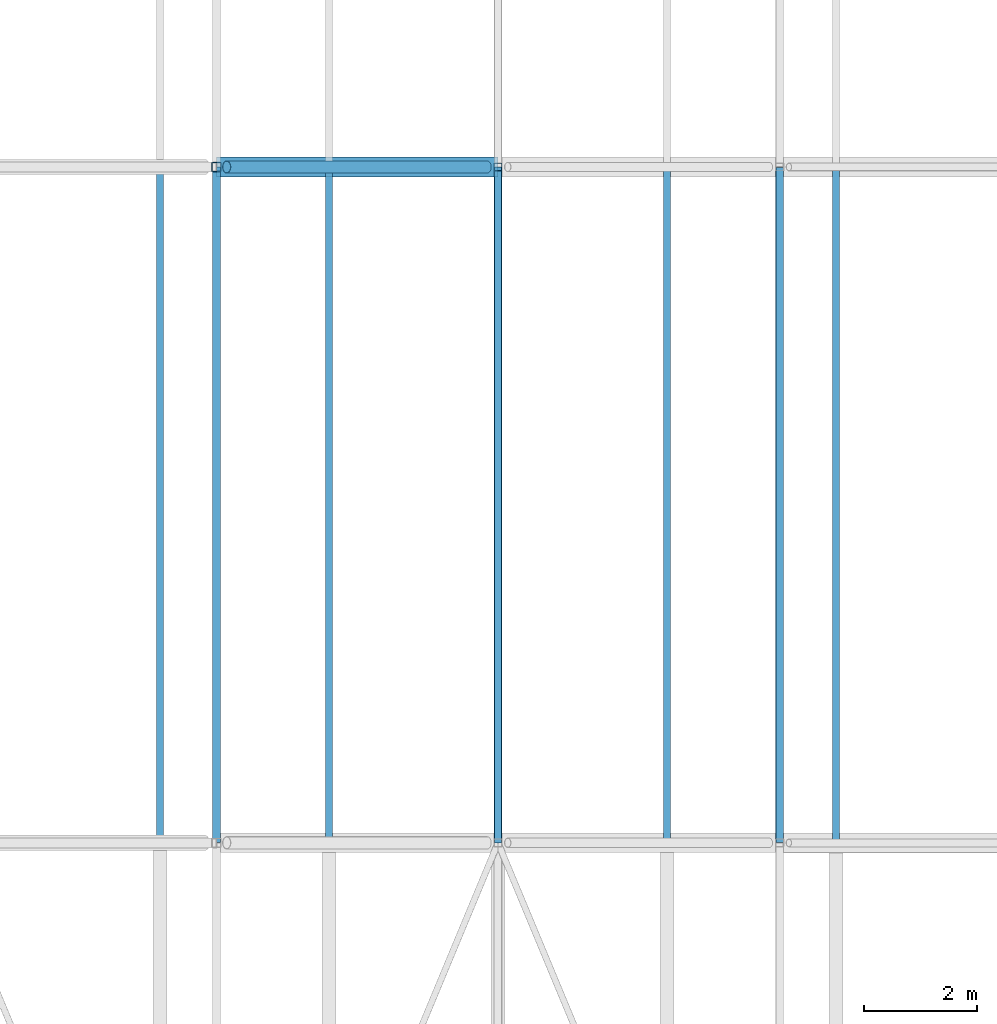
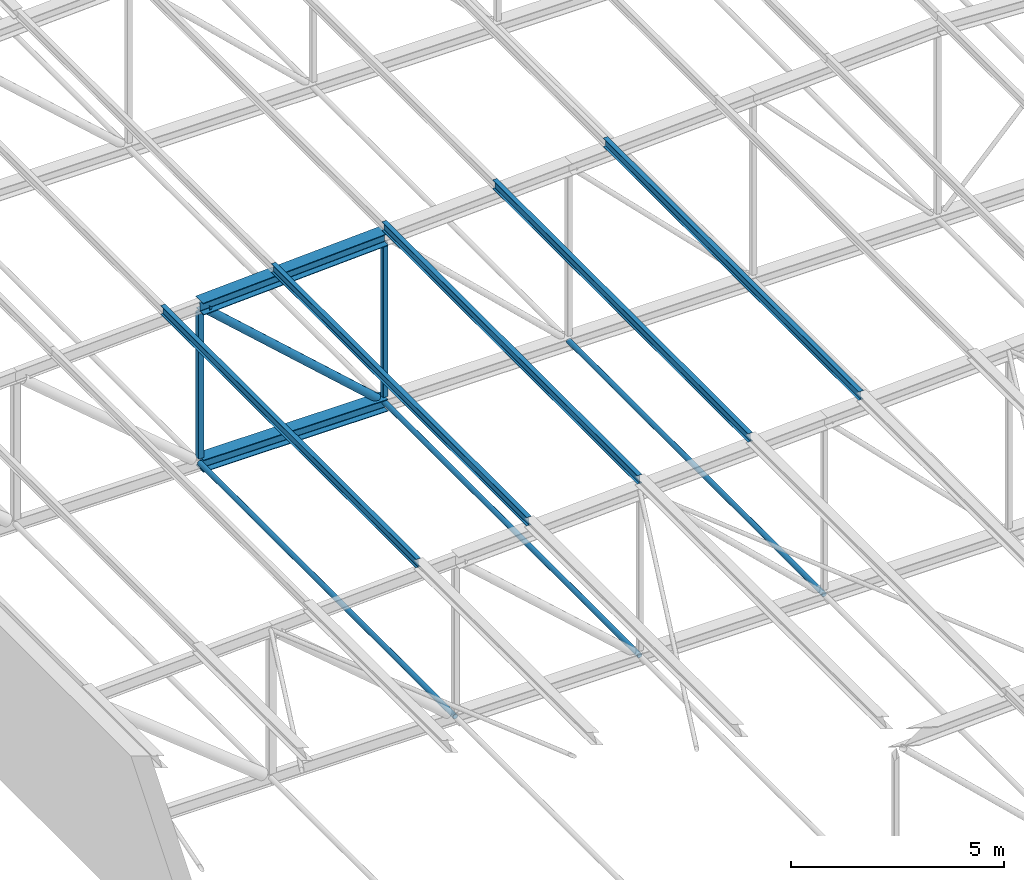
# One storey, part 106 of 156: 13 members.
"""IFC4 building model written with IfcOpenShell, lengths in metres."""

from ifc_helpers import new_model, si_unit, direction, frame, origin, origin_2d, place, context, subcontext, project, spatial, hollow_rectangle, hollow_circle, i_section, extrude, material, material_profile, profile_set, type_object, element, save


model = new_model("IFC4")

# Units and contexts
model_context = context("Model", 3, precision=1e-05, world=origin(), true_north=direction((0.0, 1.0)))
body_context = subcontext(model_context, "Body", "Model", "MODEL_VIEW")
ifc_project = project(units=[si_unit("LENGTHUNIT", "METRE"), si_unit("AREAUNIT", "SQUARE_METRE"), si_unit("VOLUMEUNIT", "CUBIC_METRE"), si_unit("PLANEANGLEUNIT", "RADIAN"), si_unit("MASSUNIT", "GRAM", prefix="KILO")], contexts=[model_context])

# Site, building, storey
site_placement = place(None, origin())
site = spatial("IfcSite", under=ifc_project, at=site_placement, CompositionType="ELEMENT")
building_placement = place(site_placement, origin())
building = spatial("IfcBuilding", under=site, at=building_placement, Name="Lilac Gate Convention Centre", CompositionType="ELEMENT")
storey_placement = place(building_placement, frame((0.0, 0.0, 17.0)))
storey = spatial("IfcBuildingStorey", under=building, at=storey_placement, Name="L03", CompositionType="ELEMENT", Elevation=17.0)

# Members
ifc_material = material(Name="Steel Q355B", Category="steel")
ifc_material_profile_1 = material_profile(ifc_material, hollow_circle(Radius=0.06982421875, WallThickness=0.0048828125, at=origin_2d()), Name="CHS139.7x5")
ifc_profile_set_1 = profile_set([ifc_material_profile_1], Name="Steel Q355B")
member_type_1 = type_object("IfcMemberType", Name="Bottom chord tie CHS139.7x5", PredefinedType="STRUT", material=ifc_profile_set_1)
member_1_placement = place(storey_placement, frame((40.0, 186.00341796875, 0.0), z_axis=(0.0, 1.0, 0.0), x_axis=(-1.0, 0.0, 0.0)))
element("IfcMember", 1, at=member_1_placement, inside=storey, type_object=member_type_1, Name="ST1 tie bay 14 node 3", PredefinedType="STRUT", context=body_context, shape_type="SweptSolid", body=[
    extrude(hollow_circle(Radius=0.06982421875, WallThickness=0.0048828125, at=origin_2d()), origin(), (0.0, 0.0, 1.0), 11.9931640625),
])
for number, where, z_axis, x_axis, name in (
    (2, (45.0, 186.006103515625, 0.0), (0.0, 1.0, 0.0), (-1.0, 0.0, 0.0), "ST1 tie bay 14 node 4"),
    (3, (50.0, 186.006103515625, 0.0), (0.0, 1.0, 0.0), (-1.0, 0.0, 0.0), "ST1 tie bay 14 node 5"),
):
    element("IfcMember", number, at=place(storey_placement, frame(where, z_axis=z_axis, x_axis=x_axis)), inside=storey, type_object=member_type_1, Name=name, PredefinedType="STRUT", context=body_context, shape_type="SweptSolid", body=[
        extrude(hollow_circle(Radius=0.06982421875, WallThickness=0.0048828125, at=origin_2d()), origin(), (0.0, 0.0, 1.0), 11.98779296875),
    ])
ifc_material_profile_2 = material_profile(ifc_material, i_section(OverallWidth=0.125, OverallDepth=0.25, WebThickness=0.006103515625, FlangeThickness=0.009033203125, FilletRadius=0.008056640625, at=origin_2d()), Name="HN250x125x6x9")
ifc_profile_set_2 = profile_set([ifc_material_profile_2], Name="Steel Q355B")
member_type_2 = type_object("IfcMemberType", Name="Roof purlin HN250x125x6x9", PredefinedType="PURLIN", material=ifc_profile_set_2)
for number, where, z_axis, x_axis, name in (
    (4, (39.0, 186.0, 4.750244140625), (0.0, 1.0, 0.0), (-1.0, 0.0, 0.0), "PU2 purlin bay 14 line 4"),
    (5, (42.0, 186.0, 4.900146484375), (0.0, 1.0, 0.0), (-1.0, 0.0, 0.0), "PU2 purlin bay 14 line 5"),
    (6, (45.0, 186.0, 5.05029296875), (0.0, 1.0, 0.0), (-1.0, 0.0, 0.0), "PU2 purlin bay 14 line 6"),
    (7, (48.0, 186.0, 5.2001953125), (0.0, 1.0, 0.0), (-1.0, 0.0, 0.0), "PU2 purlin bay 14 line 7"),
    (8, (51.0, 186.0, 5.35009765625), (0.0, 1.0, 0.0), (-1.0, 0.0, 0.0), "PU2 purlin bay 14 line 8"),
):
    element("IfcMember", number, at=place(storey_placement, frame(where, z_axis=z_axis, x_axis=x_axis)), inside=storey, type_object=member_type_2, Name=name, PredefinedType="PURLIN", context=body_context, shape_type="SweptSolid", body=[
        extrude(i_section(OverallWidth=0.125, OverallDepth=0.25, WebThickness=0.006103515625, FlangeThickness=0.009033203125, FilletRadius=0.008056640625, at=origin_2d()), origin(), (0.0, 0.0, 1.0), 12.0),
    ])
ifc_material_profile_3 = material_profile(ifc_material, i_section(OverallWidth=0.35009765625, OverallDepth=0.35009765625, WebThickness=0.011962890625, FlangeThickness=0.01904296875, FilletRadius=0.012939453125, at=origin_2d()), Name="HW350x350x12x19")
ifc_profile_set_3 = profile_set([ifc_material_profile_3], Name="Steel Q355B")
member_type_3 = type_object("IfcMemberType", Name="Truss bottom chord HW350x350x12x19", PredefinedType="CHORD", material=ifc_profile_set_3)
member_2_placement = place(storey_placement, frame((40.0, 198.0, 0.0), z_axis=(1.0, 0.0, 0.0), x_axis=(0.0, 1.0, 0.0)))
element("IfcMember", 9, at=member_2_placement, inside=storey, type_object=member_type_3, Name="TB2 truss 15 bottom chord 3", PredefinedType="CHORD", context=body_context, shape_type="SweptSolid", body=[
    extrude(i_section(OverallWidth=0.35009765625, OverallDepth=0.35009765625, WebThickness=0.011962890625, FlangeThickness=0.01904296875, FilletRadius=0.012939453125, at=origin_2d()), origin(), (0.0, 0.0, 1.0), 5.0),
])
ifc_material_profile_4 = material_profile(ifc_material, hollow_circle(Radius=0.109619140625, WallThickness=0.008056640625, at=origin_2d()), Name="CHS219.1x8")
ifc_profile_set_4 = profile_set([ifc_material_profile_4], Name="Steel Q355B")
member_type_4 = type_object("IfcMemberType", Name="Truss diagonal CHS219.1x8", PredefinedType="BRACE", material=ifc_profile_set_4)
member_3_placement = place(storey_placement, frame((40.1826171875, 198.0, 4.335693359375), z_axis=(0.743301953498, 0.0, -0.668956056797), x_axis=(0.0, 1.0, 0.0)))
element("IfcMember", 10, at=member_3_placement, inside=storey, type_object=member_type_4, Name="TW3 truss 15 diagonal 3", PredefinedType="BRACE", context=body_context, shape_type="SweptSolid", body=[
    extrude(hollow_circle(Radius=0.109619140625, WallThickness=0.008056640625, at=origin_2d()), origin(), (0.0, 0.0, 1.0), 6.2197265625),
])
ifc_material_profile_5 = material_profile(ifc_material, i_section(OverallWidth=0.35009765625, OverallDepth=0.35009765625, WebThickness=0.011962890625, FlangeThickness=0.01904296875, FilletRadius=0.012939453125, at=origin_2d()), Name="HW350x350x12x19")
ifc_profile_set_5 = profile_set([ifc_material_profile_5], Name="Steel Q355B")
member_type_5 = type_object("IfcMemberType", Name="Truss top chord HW350x350x12x19", PredefinedType="CHORD", material=ifc_profile_set_5)
member_4_placement = place(storey_placement, frame((40.0, 198.0, 4.5), z_axis=(0.998752338878, 0.0, 0.049937616944), x_axis=(0.0, 1.0, 0.0)))
element("IfcMember", 11, at=member_4_placement, inside=storey, type_object=member_type_5, Name="TT2 truss 15 top chord 3", PredefinedType="CHORD", context=body_context, shape_type="SweptSolid", body=[
    extrude(i_section(OverallWidth=0.35009765625, OverallDepth=0.35009765625, WebThickness=0.011962890625, FlangeThickness=0.01904296875, FilletRadius=0.012939453125, at=origin_2d()), origin(), (0.0, 0.0, 1.0), 5.00634765625),
])
ifc_material_profile_6 = material_profile(ifc_material, hollow_rectangle(XDim=0.139892578125, YDim=0.139892578125, WallThickness=0.0048828125, InnerFilletRadius=0.0048828125, OuterFilletRadius=0.010009765625, at=origin_2d()), Name="SHS140x140x5")
ifc_profile_set_6 = profile_set([ifc_material_profile_6], Name="Steel Q355B")
member_type_6 = type_object("IfcMemberType", Name="Truss vertical SHS140x140x5", PredefinedType="STRUT", material=ifc_profile_set_6)
member_5_placement = place(storey_placement, frame((45.0, 198.0, 0.175048828125), z_axis=(0.0, 0.0, 1.0), x_axis=(1.0, 0.0, 0.0)))
element("IfcMember", 12, at=member_5_placement, inside=storey, type_object=member_type_6, Name="TV4 truss 15 vertical 4", PredefinedType="STRUT", context=body_context, shape_type="SweptSolid", body=[
    extrude(hollow_rectangle(XDim=0.139892578125, YDim=0.139892578125, WallThickness=0.0048828125, InnerFilletRadius=0.0048828125, OuterFilletRadius=0.010009765625, at=origin_2d()), origin(), (0.0, 0.0, 1.0), 4.399658203125),
])
ifc_material_profile_7 = material_profile(ifc_material, hollow_rectangle(XDim=0.159912109375, YDim=0.159912109375, WallThickness=0.006103515625, InnerFilletRadius=0.006103515625, OuterFilletRadius=0.011962890625, at=origin_2d()), Name="SHS160x160x6")
ifc_profile_set_7 = profile_set([ifc_material_profile_7], Name="Steel Q355B")
member_type_7 = type_object("IfcMemberType", Name="Truss vertical SHS160x160x6", PredefinedType="STRUT", material=ifc_profile_set_7)
member_6_placement = place(storey_placement, frame((40.0, 198.0, 0.175048828125), z_axis=(0.0, 0.0, 1.0), x_axis=(1.0, 0.0, 0.0)))
element("IfcMember", 13, at=member_6_placement, inside=storey, type_object=member_type_7, Name="TV3 truss 15 vertical 3", PredefinedType="STRUT", context=body_context, shape_type="SweptSolid", body=[
    extrude(hollow_rectangle(XDim=0.159912109375, YDim=0.159912109375, WallThickness=0.006103515625, InnerFilletRadius=0.006103515625, OuterFilletRadius=0.011962890625, at=origin_2d()), origin(), (0.0, 0.0, 1.0), 4.149658203125),
])

save(model, "model.ifc")
